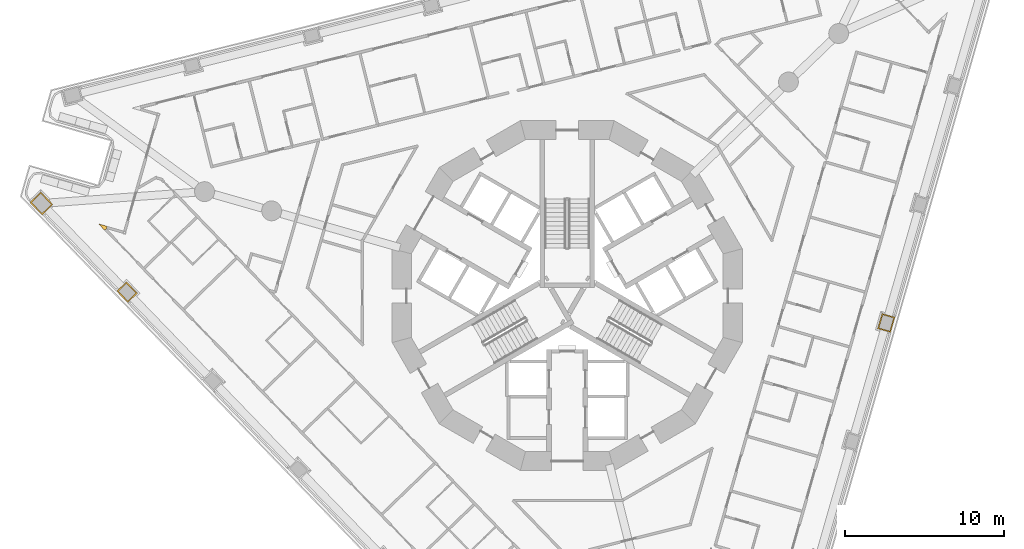
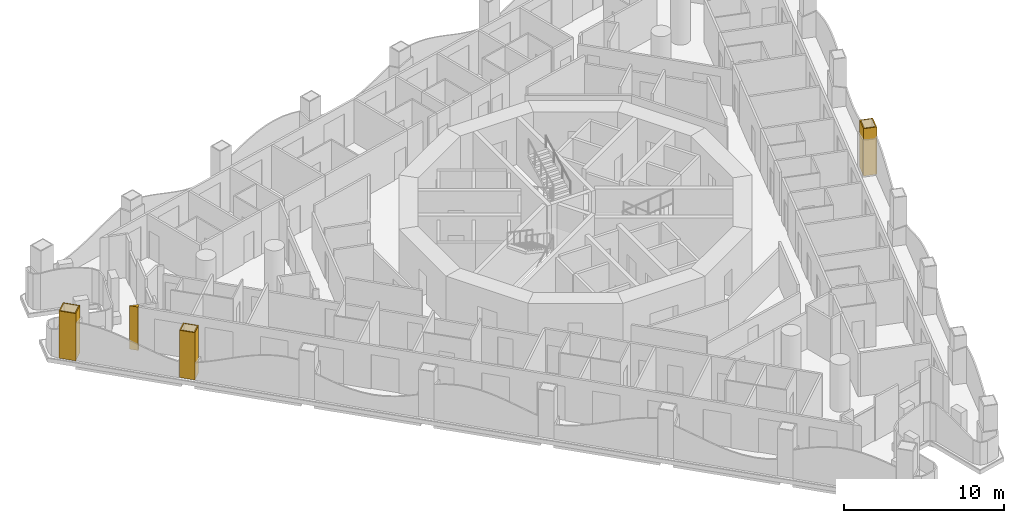
# One storey, part 15 of 19: 4 coverings.
"""IFC4 building model written with IfcOpenShell, lengths in metres."""

from ifc_helpers import new_model, si_unit, direction, frame, origin, place, context, subcontext, project, spatial, polyline, outline, extrude, material, layer, layer_set, type_object, element, save


model = new_model("IFC4")

# Units and contexts
model_context = context("Model", 3, precision=1e-05, world=origin(), true_north=direction((0.0, 1.0)))
body_context = subcontext(model_context, "Body", "Model", "MODEL_VIEW")
ifc_project = project(units=[si_unit("LENGTHUNIT", "METRE"), si_unit("AREAUNIT", "SQUARE_METRE"), si_unit("VOLUMEUNIT", "CUBIC_METRE"), si_unit("PLANEANGLEUNIT", "RADIAN"), si_unit("MASSUNIT", "GRAM", prefix="KILO")], contexts=[model_context])

# Site, building, storey
site_placement = place(None, origin())
site = spatial("IfcSite", under=ifc_project, at=site_placement, CompositionType="ELEMENT")
building_placement = place(site_placement, origin())
building = spatial("IfcBuilding", under=site, at=building_placement, Name="Trine Commons Tower", CompositionType="ELEMENT")
storey_placement = place(building_placement, frame((0.0, 0.0, 105.300048828125)))
storey = spatial("IfcBuildingStorey", under=building, at=storey_placement, Name="L26", CompositionType="ELEMENT", Elevation=105.300048828125)

# Coverings
ifc_material_1 = material(Name="Aluminium-framed insulated wall panel", Category="aluminium")
ifc_layer_1 = layer(ifc_material_1, 0.14990234375)
ifc_layer_set_1 = layer_set([ifc_layer_1], Name="Aluminium-framed insulated wall panel")
covering_type_1 = type_object("IfcCoveringType", Name="Glazing corner post, aluminium", PredefinedType="CLADDING", material=ifc_layer_set_1)
covering_1_placement = place(storey_placement, origin())
element("IfcCovering", 1, at=covering_1_placement, inside=storey, type_object=covering_type_1, Name="Glazing corner post 3-01", PredefinedType="CLADDING", context=body_context, shape_type="SweptSolid", body=[
    extrude(outline(polyline([(50.897216796875, 66.611083984375), (51.005126953125, 66.71533203125), (51.04638671875, 66.859619140625), (50.50830078125, 67.013916015625), (50.897216796875, 66.611083984375)])), origin(), (0.0, 0.0, 1.0), 3.300048828125),
])
ifc_material_2 = material(Name="Limestone, honed", Category="masonry")
ifc_layer_2 = layer(ifc_material_2, 0.074951171875)
ifc_layer_set_2 = layer_set([ifc_layer_2], Name="Limestone, honed")
covering_type_2 = type_object("IfcCoveringType", Name="Limestone column cladding 75", PredefinedType="CLADDING", material=ifc_layer_set_2)
covering_2_placement = place(storey_placement, origin())
element("IfcCovering", 2, at=covering_2_placement, inside=storey, type_object=covering_type_2, Name="Limestone pier cladding 3-07", PredefinedType="CLADDING", context=body_context, shape_type="SweptSolid", body=[
    extrude(outline(polyline([(52.265380859375, 63.373291015625), (51.654052734375, 62.78271484375), (52.3486328125, 62.0634765625), (52.960205078125, 62.65380859375), (52.265380859375, 63.373291015625)]), holes=[polyline([(52.263671875, 63.26708984375), (51.760009765625, 62.781005859375), (52.3505859375, 62.16943359375), (52.85400390625, 62.65576171875), (52.263671875, 63.26708984375)])]), origin(), (0.0, 0.0, 1.0), 3.599853515625),
])
covering_3_placement = place(storey_placement, origin())
element("IfcCovering", 3, at=covering_3_placement, inside=storey, type_object=covering_type_2, Name="Limestone pier cladding 3-08", PredefinedType="CLADDING", context=body_context, shape_type="SweptSolid", body=[
    extrude(outline(polyline([(46.877685546875, 69.0244140625), (46.194580078125, 68.364501953125), (46.95849609375, 67.572998046875), (47.641845703125, 68.23291015625), (46.877685546875, 69.0244140625)]), holes=[polyline([(46.8759765625, 68.918212890625), (46.300537109375, 68.362548828125), (46.96044921875, 67.67919921875), (47.535888671875, 68.23486328125), (46.8759765625, 68.918212890625)])]), origin(), (0.0, 0.0, 1.0), 3.599853515625),
])
covering_4_placement = place(storey_placement, origin())
element("IfcCovering", 4, at=covering_4_placement, inside=storey, type_object=covering_type_2, Name="Limestone pier cladding 3-20", PredefinedType="CLADDING", context=body_context, shape_type="SweptSolid", body=[
    extrude(outline(polyline([(100.61865234375, 61.14306640625), (99.801513671875, 61.377197265625), (99.52587890625, 60.416015625), (100.343017578125, 60.181640625), (100.61865234375, 61.14306640625)]), holes=[polyline([(100.52587890625, 61.091552734375), (99.85302734375, 61.284423828125), (99.61865234375, 60.46728515625), (100.29150390625, 60.2744140625), (100.52587890625, 61.091552734375)])]), origin(), (0.0, 0.0, 1.0), 3.599853515625),
])

save(model, "model.ifc")
